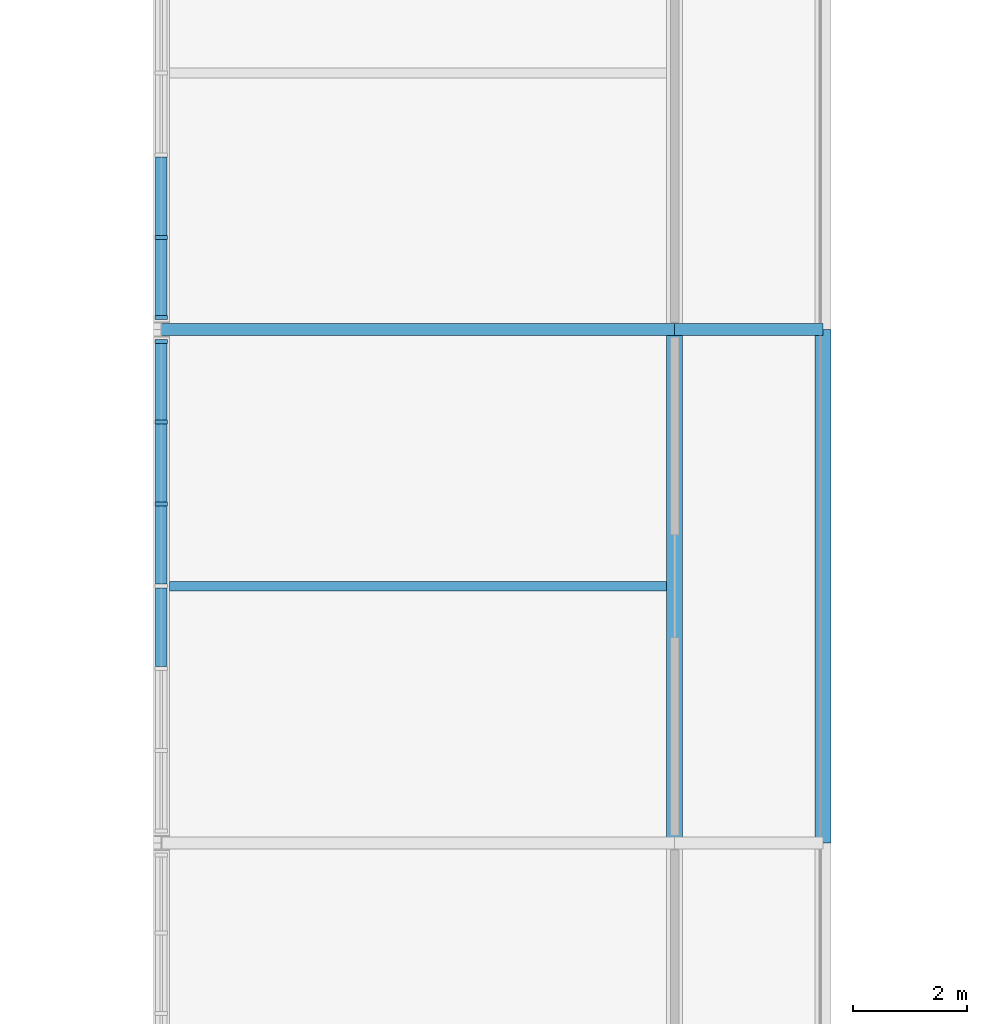
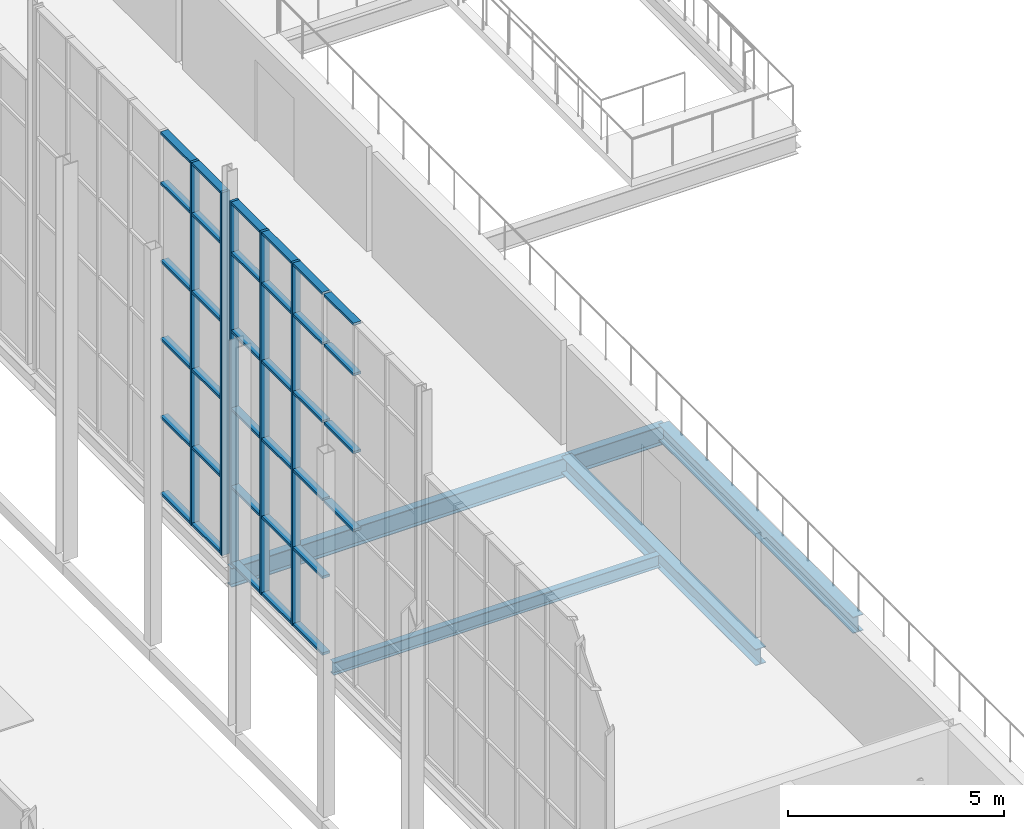
# One storey, part 50 of 134: 39 members, 5 beams, 2 elements without a shape of their own.
"""IFC4 building model written with IfcOpenShell, lengths in metres."""

import ifcopenshell
import ifcopenshell.guid

model = None  # the IFC model being written
_history = None  # IfcOwnerHistory: only IFC2X3 demands one
_inside = {}  # id of a spatial element -> (the spatial element, [elements in it])
_under = {}  # id of a project, library or spatial element -> (it, [spatial elements below it])
_declared = {}  # id of a project -> (the project, [libraries it declares])
_typed = {}  # id of a type object -> (the type object, [elements of that type])
_made_of = {}  # id of a material, layer set ... -> (it, [elements and type objects made of it])


def new_model(schema):
    """Start an empty IFC model of exactly this schema.

    Asked for "IFC4X3", IfcOpenShell would pick the latest addendum, in which some entities
    have other attributes; the version numbers below select the first issue.
    IFC2X3 requires an IfcOwnerHistory on every rooted entity: one is made here for all.
    """
    global model, _history
    if schema == "IFC4X3":
        model = ifcopenshell.file(schema_version=(4, 3, 0, 0))
    else:
        model = ifcopenshell.file(schema=schema)
    _inside.clear()
    _under.clear()
    _declared.clear()
    _typed.clear()
    _made_of.clear()
    _history = None
    if model.schema == "IFC2X3":
        org = make("IfcOrganization", Name="unknown")
        user = make(
            "IfcPersonAndOrganization",
            ThePerson=make("IfcPerson", FamilyName="unknown"),
            TheOrganization=org,
        )
        app = make(
            "IfcApplication",
            ApplicationDeveloper=org,
            Version="unknown",
            ApplicationFullName="unknown",
            ApplicationIdentifier="unknown",
        )
        _history = make(
            "IfcOwnerHistory",
            OwningUser=user,
            OwningApplication=app,
            ChangeAction="ADDED",
            CreationDate=0,
        )
    return model


def make(cls, **values):
    """One entity of the class cls with the attributes given. An attribute that is None is left unset."""
    return model.create_entity(
        cls, **{name: value for name, value in values.items() if value is not None}
    )


def rooted(cls, **values):
    """An entity with a GlobalId (a new one), such as an element, a storey or a relation."""
    return make(cls, GlobalId=ifcopenshell.guid.new(), OwnerHistory=_history, **values)


def si_unit(unit_type, name, prefix=None):
    """IfcSIUnit, for example si_unit("LENGTHUNIT", "METRE", prefix="MILLI")."""
    return make("IfcSIUnit", UnitType=unit_type, Prefix=prefix, Name=name)


def assignment(units):
    """IfcUnitAssignment: the units of a project."""
    return None if units is None else make("IfcUnitAssignment", Units=units)


def point(xyz):
    """IfcCartesianPoint."""
    return None if xyz is None else make("IfcCartesianPoint", Coordinates=xyz)


def direction(xyz):
    """IfcDirection."""
    return None if xyz is None else make("IfcDirection", DirectionRatios=xyz)


def frame(location, z_axis=None, x_axis=None):
    """IfcAxis2Placement3D, a coordinate frame: its origin and axes. An axis left out is left unset."""
    return make(
        "IfcAxis2Placement3D",
        Location=point(location),
        Axis=direction(z_axis),
        RefDirection=direction(x_axis),
    )


def frame_2d(location, x_axis=None):
    """IfcAxis2Placement2D, a coordinate frame in the plane: its origin and x axis."""
    return make(
        "IfcAxis2Placement2D", Location=point(location), RefDirection=direction(x_axis)
    )


def origin():
    """The frame at (0, 0, 0) with its axes left unset."""
    return frame((0.0, 0.0, 0.0))


def origin_2d():
    """The frame at (0, 0) in the plane with its x axis left unset."""
    return frame_2d((0.0, 0.0))


def place(relative_to, where):
    """IfcLocalPlacement: puts the frame where relative to a parent placement (None: the world)."""
    return make(
        "IfcLocalPlacement", PlacementRelTo=relative_to, RelativePlacement=where
    )


def context(
    kind, dimensions, precision=None, world=None, true_north=None, identifier=None
):
    """IfcGeometricRepresentationContext, for example the 3D "Model" context."""
    return make(
        "IfcGeometricRepresentationContext",
        ContextIdentifier=identifier,
        ContextType=kind,
        CoordinateSpaceDimension=dimensions,
        Precision=precision,
        WorldCoordinateSystem=world,
        TrueNorth=true_north,
    )


def subcontext(parent, identifier, kind, view, scale=None):
    """IfcGeometricRepresentationSubContext, for example "Body" below "Model"."""
    return make(
        "IfcGeometricRepresentationSubContext",
        ContextIdentifier=identifier,
        ContextType=kind,
        ParentContext=parent,
        TargetScale=scale,
        TargetView=view,
    )


def project(units=None, contexts=None):
    """IfcProject with its units and contexts."""
    return rooted(
        "IfcProject",
        Name="project",
        RepresentationContexts=contexts,
        UnitsInContext=assignment(units),
    )


def spatial(cls, under=None, at=None, **own):
    """A site, building, storey or space (cls), placed at a placement, below another one or the project."""
    s = rooted(cls, ObjectPlacement=at, **own)
    if under is not None:
        _under.setdefault(under.id(), (under, []))[1].append(s)
    return s


def profile(cls, at=None, kind="AREA", **sizes):
    """A parametric profile (cls). Its sizes go by their IFC names, for example OverallWidth=200.0."""
    return make(cls, ProfileType=kind, Position=at, **sizes)


def rectangle(**sizes):
    """IfcRectangleProfileDef."""
    return profile("IfcRectangleProfileDef", **sizes)


def i_section(**sizes):
    """IfcIShapeProfileDef."""
    return profile("IfcIShapeProfileDef", **sizes)


def extrude(swept, where, along, depth):
    """IfcExtrudedAreaSolid: the profile swept, set in the frame where, extruded along a direction by depth."""
    return make(
        "IfcExtrudedAreaSolid",
        SweptArea=swept,
        Position=where,
        ExtrudedDirection=direction(along),
        Depth=depth,
    )


def shape(context_of_items, identifier, shape_type, items):
    """IfcShapeRepresentation: the items that make up one representation, for example the "Body"."""
    return make(
        "IfcShapeRepresentation",
        ContextOfItems=context_of_items,
        RepresentationIdentifier=identifier,
        RepresentationType=shape_type,
        Items=items,
    )


def material(Name=None, Category=None):
    """IfcMaterial."""
    return make("IfcMaterial", Name=Name, Category=Category)


def layer(
    of_material, thickness, ventilated=None, Name=None, Category=None, Priority=None
):
    """IfcMaterialLayer: one layer of a wall or slab, of a material (None: an air gap)."""
    return make(
        "IfcMaterialLayer",
        Material=of_material,
        LayerThickness=thickness,
        IsVentilated=ventilated,
        Name=Name,
        Category=Category,
        Priority=Priority,
    )


def layer_set(layers, Name=None):
    """IfcMaterialLayerSet."""
    return make("IfcMaterialLayerSet", MaterialLayers=layers, LayerSetName=Name)


def material_profile(
    of_material, cross_section, Name=None, Category=None, Priority=None
):
    """IfcMaterialProfile: a cross section and its material."""
    return make(
        "IfcMaterialProfile",
        Name=Name,
        Material=of_material,
        Profile=cross_section,
        Priority=Priority,
        Category=Category,
    )


def profile_set(profiles, Name=None, composite=None):
    """IfcMaterialProfileSet."""
    return make(
        "IfcMaterialProfileSet",
        Name=Name,
        MaterialProfiles=profiles,
        CompositeProfile=composite,
    )


def made_of(thing, what):
    """Note that an element or type object is made of a material, layer set ...; save() writes the relation."""
    if what is not None:
        _made_of.setdefault(what.id(), (what, []))[1].append(thing)
    return thing


def type_object(cls, material=None, **own):
    """A type object (cls), such as IfcWallType, which elements share."""
    return made_of(rooted(cls, **own), material)


def element(
    cls,
    number,
    at=None,
    inside=None,
    cuts=None,
    type_object=None,
    material=None,
    context=None,
    identifier="Body",
    shape_type=None,
    held_by="IfcProductDefinitionShape",
    body=None,
    shapes=None,
    **own,
):
    """One element of the class cls, such as IfcWall. Its Tag is "e" and its number.

    at: its placement. inside: the storey or other place that contains it. cuts: it is an
    opening in that element (IfcRelVoidsElement). A single representation is given by context,
    identifier, shape_type and body (its items); several are given by shapes. held_by: the class
    of the entity that holds the representations. save() writes the other relations.
    """
    e = rooted(cls, Tag="e%d" % number, ObjectPlacement=at, **own)
    if body is not None:
        shapes = [shape(context, identifier, shape_type, body)]
    if shapes is not None:
        e.Representation = make(held_by, Representations=shapes)
    if inside is not None:
        _inside.setdefault(inside.id(), (inside, []))[1].append(e)
    if cuts is not None:
        rooted(
            "IfcRelVoidsElement", RelatingBuildingElement=cuts, RelatedOpeningElement=e
        )
    if type_object is not None:
        _typed.setdefault(type_object.id(), (type_object, []))[1].append(e)
    return made_of(e, material)


def aggregate(whole, parts):
    """IfcRelAggregates: a whole, such as a stair, and the parts it consists of."""
    return rooted("IfcRelAggregates", RelatingObject=whole, RelatedObjects=parts)


def save(model, path):
    """Write the relations noted so far, then the file.

    IfcRelAggregates (storeys below a building ...), IfcRelContainedInSpatialStructure (elements
    in a storey), IfcRelDefinesByType, IfcRelAssociatesMaterial and IfcRelDeclares: one each for
    every whole, place, type object, material and project.
    """
    for whole, parts in _under.values():
        aggregate(whole, parts)
    for where, things in _inside.values():
        rooted(
            "IfcRelContainedInSpatialStructure",
            RelatedElements=things,
            RelatingStructure=where,
        )
    for kind, things in _typed.values():
        rooted("IfcRelDefinesByType", RelatedObjects=things, RelatingType=kind)
    for what, things in _made_of.values():
        rooted("IfcRelAssociatesMaterial", RelatedObjects=things, RelatingMaterial=what)
    for by, libraries in _declared.values():
        rooted("IfcRelDeclares", RelatingContext=by, RelatedDefinitions=libraries)
    model.write(path)


model = new_model("IFC4")

# Units and contexts
model_context = context("Model", 3, precision=1e-05, world=origin(), true_north=direction((0.0, 1.0)))
body_context = subcontext(model_context, "Body", "Model", "MODEL_VIEW")
ifc_project = project(units=[si_unit("LENGTHUNIT", "METRE"), si_unit("AREAUNIT", "SQUARE_METRE"), si_unit("VOLUMEUNIT", "CUBIC_METRE"), si_unit("PLANEANGLEUNIT", "RADIAN"), si_unit("MASSUNIT", "GRAM", prefix="KILO")], contexts=[model_context])

# Site, building, storey
site_placement = place(None, origin())
site = spatial("IfcSite", under=ifc_project, at=site_placement, CompositionType="ELEMENT")
building_placement = place(site_placement, origin())
building = spatial("IfcBuilding", under=site, at=building_placement, Name="Cazmaro Siding Exhibition Halls", CompositionType="ELEMENT")
storey_placement = place(building_placement, frame((0.0, 0.0, 12.0)))
storey = spatial("IfcBuildingStorey", under=building, at=storey_placement, Name="L02", CompositionType="ELEMENT", Elevation=12.0)

# Beams
ifc_material_1 = material(Name="Steel ASTM A992 Grade 50", Category="steel")
ifc_material_profile_1 = material_profile(ifc_material_1, i_section(OverallWidth=0.2099609375, OverallDepth=0.535888671875, WebThickness=0.010986328125, FlangeThickness=0.01708984375, at=origin_2d()), Name="W21X68")
ifc_profile_set_1 = profile_set([ifc_material_profile_1], Name="Steel ASTM A992 Grade 50")
beam_type_1 = type_object("IfcBeamType", Name="B-02", PredefinedType="BEAM", material=ifc_profile_set_1)
beam_1_placement = place(storey_placement, frame((48.199951171875, 94.0, -0.488037109375), z_axis=(1.0, 0.0, 0.0), x_axis=(0.0, 1.0, 0.0)))
element("IfcBeam", 1, at=beam_1_placement, inside=storey, type_object=beam_type_1, Name="Beam B-02 BM-0487", PredefinedType="BEAM", context=body_context, shape_type="SweptSolid", body=[
    extrude(i_section(OverallWidth=0.2099609375, OverallDepth=0.535888671875, WebThickness=0.010986328125, FlangeThickness=0.01708984375, at=origin_2d()), origin(), (0.0, 0.0, 1.0), 9.0),
])
beam_2_placement = place(storey_placement, frame((57.199951171875, 94.0, -0.488037109375), z_axis=(1.0, 0.0, 0.0), x_axis=(0.0, 1.0, 0.0)))
element("IfcBeam", 2, at=beam_2_placement, inside=storey, type_object=beam_type_1, Name="Beam B-02 BM-0503", PredefinedType="BEAM", context=body_context, shape_type="SweptSolid", body=[
    extrude(i_section(OverallWidth=0.2099609375, OverallDepth=0.535888671875, WebThickness=0.010986328125, FlangeThickness=0.01708984375, at=origin_2d()), origin(), (0.0, 0.0, 1.0), 2.60009765625),
])
ifc_material_2 = material(Name="Steel ASTM A992 Grade 50", Category="steel")
ifc_material_profile_2 = material_profile(ifc_material_2, i_section(OverallWidth=0.279052734375, OverallDepth=0.4619140625, WebThickness=0.010986328125, FlangeThickness=0.01708984375, at=origin_2d()), Name="W18X76")
ifc_profile_set_2 = profile_set([ifc_material_profile_2], Name="Steel ASTM A992 Grade 50")
beam_type_2 = type_object("IfcBeamType", Name="B-03", PredefinedType="BEAM", material=ifc_profile_set_2)
for number, where, z_axis, x_axis, name in (
    (3, (57.199951171875, 85.0, -0.450927734375), (0.0, 1.0, 0.0), (-1.0, 0.0, 0.0), "Beam B-03 BM-0493"),
    (4, (59.800048828125, 85.0, -0.450927734375), (0.0, 1.0, 0.0), (-1.0, 0.0, 0.0), "Beam B-03 BM-0506"),
):
    element("IfcBeam", number, at=place(storey_placement, frame(where, z_axis=z_axis, x_axis=x_axis)), inside=storey, type_object=beam_type_2, Name=name, PredefinedType="BEAM", context=body_context, shape_type="SweptSolid", body=[
        extrude(i_section(OverallWidth=0.279052734375, OverallDepth=0.4619140625, WebThickness=0.010986328125, FlangeThickness=0.01708984375, at=origin_2d()), origin(), (0.0, 0.0, 1.0), 9.0),
    ])

# Curtain wall, members
ifc_material_3 = material(Name="Anodized Bronze Aluminum and Solar-Control Low-E Glazing", Category="aluminium")
ifc_layer = layer(ifc_material_3, 0.219970703125)
ifc_layer_set = layer_set([ifc_layer], Name="Anodized Bronze Aluminum and Solar-Control Low-E Glazing")
curtain_wall_type = type_object("IfcCurtainWallType", Name="CWS-03", PredefinedType="USERDEFINED", material=ifc_layer_set)
curtain_wall_1_placement = place(storey_placement, origin())
curtain_wall_1 = element("IfcCurtainWall", 5, at=curtain_wall_1_placement, inside=storey, type_object=curtain_wall_type, Name="Glazed Curtain Wall CWS-03 CW-055", ObjectType="GLAZED CURTAIN WALL", PredefinedType="USERDEFINED")
ifc_material_4 = material(Name="Anodized Bronze Extruded Aluminum", Category="aluminium")
ifc_material_profile_3 = material_profile(ifc_material_4, rectangle(XDim=0.219970703125, YDim=0.070068359375, at=origin_2d()), Name="CWM-03")
ifc_profile_set_3 = profile_set([ifc_material_profile_3], Name="Anodized Bronze Extruded Aluminum")
member_type_1 = type_object("IfcMemberType", Name="CWM-03", PredefinedType="MULLION", material=ifc_profile_set_3)
member_1_placement = place(storey_placement, frame((48.199951171875, 93.7880859375, 0.0), z_axis=(0.0, 0.0, 1.0), x_axis=(1.0, 0.0, 0.0)))
member_1 = element("IfcMember", 6, at=member_1_placement, type_object=member_type_1, Name="CWS-03 mullion 1", PredefinedType="MULLION", context=body_context, shape_type="SweptSolid", body=[
    extrude(rectangle(XDim=0.219970703125, YDim=0.070068359375, at=origin_2d()), origin(), (0.0, 0.0, 1.0), 10.258056640625),
])
member_2_placement = place(storey_placement, frame((48.199951171875, 92.382080078125, 0.0), z_axis=(0.0, 0.0, 1.0), x_axis=(1.0, 0.0, 0.0)))
member_2 = element("IfcMember", 7, at=member_2_placement, type_object=member_type_1, Name="CWS-03 mullion 2", PredefinedType="MULLION", context=body_context, shape_type="SweptSolid", body=[
    extrude(rectangle(XDim=0.219970703125, YDim=0.070068359375, at=origin_2d()), origin(), (0.0, 0.0, 1.0), 10.258056640625),
])
member_3_placement = place(storey_placement, frame((48.199951171875, 90.94091796875, 0.0), z_axis=(0.0, 0.0, 1.0), x_axis=(1.0, 0.0, 0.0)))
member_3 = element("IfcMember", 8, at=member_3_placement, type_object=member_type_1, Name="CWS-03 mullion 3", PredefinedType="MULLION", context=body_context, shape_type="SweptSolid", body=[
    extrude(rectangle(XDim=0.219970703125, YDim=0.070068359375, at=origin_2d()), origin(), (0.0, 0.0, 1.0), 10.258056640625),
])

curtain_wall_2_placement = place(storey_placement, origin())
curtain_wall_2 = element("IfcCurtainWall", 9, at=curtain_wall_2_placement, inside=storey, type_object=curtain_wall_type, Name="Glazed Curtain Wall CWS-03 CW-058", ObjectType="GLAZED CURTAIN WALL", PredefinedType="USERDEFINED")
member_4_placement = place(storey_placement, frame((48.199951171875, 95.617919921875, 0.0), z_axis=(0.0, 0.0, 1.0), x_axis=(1.0, 0.0, 0.0)))
member_4 = element("IfcMember", 10, at=member_4_placement, type_object=member_type_1, Name="CWS-03 mullion 6", PredefinedType="MULLION", context=body_context, shape_type="SweptSolid", body=[
    extrude(rectangle(XDim=0.219970703125, YDim=0.070068359375, at=origin_2d()), origin(), (0.0, 0.0, 1.0), 10.258056640625),
])
member_5_placement = place(storey_placement, frame((48.199951171875, 94.2119140625, 0.0), z_axis=(0.0, 0.0, 1.0), x_axis=(1.0, 0.0, 0.0)))
member_5 = element("IfcMember", 11, at=member_5_placement, type_object=member_type_1, Name="CWS-03 mullion 7", PredefinedType="MULLION", context=body_context, shape_type="SweptSolid", body=[
    extrude(rectangle(XDim=0.219970703125, YDim=0.070068359375, at=origin_2d()), origin(), (0.0, 0.0, 1.0), 10.258056640625),
])

# Member
ifc_material_5 = material(Name="Anodized Bronze Extruded Aluminum", Category="aluminium")
ifc_material_profile_4 = material_profile(ifc_material_5, rectangle(XDim=0.199951171875, YDim=0.070068359375, at=origin_2d()), Name="CWT-03")
ifc_profile_set_4 = profile_set([ifc_material_profile_4], Name="Anodized Bronze Extruded Aluminum")
member_type_2 = type_object("IfcMemberType", Name="CWT-03", PredefinedType="MULLION", material=ifc_profile_set_4)
member_6_placement = place(storey_placement, frame((48.199951171875, 93.7529296875, 0.034912109375), z_axis=(0.0, -1.0, 0.0), x_axis=(1.0, 0.0, 0.0)))
member_6 = element("IfcMember", 12, at=member_6_placement, type_object=member_type_2, Name="CWS-03 transom 1.1", ObjectType="TRANSOM", PredefinedType="USERDEFINED", context=body_context, shape_type="SweptSolid", body=[
    extrude(rectangle(XDim=0.199951171875, YDim=0.070068359375, at=origin_2d()), origin(), (0.0, 0.0, 1.0), 1.3359375),
])

member_7_placement = place(storey_placement, frame((48.199951171875, 93.7529296875, 2.199951171875), z_axis=(0.0, -1.0, 0.0), x_axis=(1.0, 0.0, 0.0)))
member_7 = element("IfcMember", 13, at=member_7_placement, type_object=member_type_2, Name="CWS-03 transom 1.2", ObjectType="TRANSOM", PredefinedType="USERDEFINED", context=body_context, shape_type="SweptSolid", body=[
    extrude(rectangle(XDim=0.199951171875, YDim=0.070068359375, at=origin_2d()), origin(), (0.0, 0.0, 1.0), 1.3359375),
])

member_8_placement = place(storey_placement, frame((48.199951171875, 93.7529296875, 4.39990234375), z_axis=(0.0, -1.0, 0.0), x_axis=(1.0, 0.0, 0.0)))
member_8 = element("IfcMember", 14, at=member_8_placement, type_object=member_type_2, Name="CWS-03 transom 1.3", ObjectType="TRANSOM", PredefinedType="USERDEFINED", context=body_context, shape_type="SweptSolid", body=[
    extrude(rectangle(XDim=0.199951171875, YDim=0.070068359375, at=origin_2d()), origin(), (0.0, 0.0, 1.0), 1.3359375),
])

member_9_placement = place(storey_placement, frame((48.199951171875, 93.7529296875, 6.60009765625), z_axis=(0.0, -1.0, 0.0), x_axis=(1.0, 0.0, 0.0)))
member_9 = element("IfcMember", 15, at=member_9_placement, type_object=member_type_2, Name="CWS-03 transom 1.4", ObjectType="TRANSOM", PredefinedType="USERDEFINED", context=body_context, shape_type="SweptSolid", body=[
    extrude(rectangle(XDim=0.199951171875, YDim=0.070068359375, at=origin_2d()), origin(), (0.0, 0.0, 1.0), 1.3359375),
])

member_10_placement = place(storey_placement, frame((48.199951171875, 93.7529296875, 8.800048828125), z_axis=(0.0, -1.0, 0.0), x_axis=(1.0, 0.0, 0.0)))
member_10 = element("IfcMember", 16, at=member_10_placement, type_object=member_type_2, Name="CWS-03 transom 1.5", ObjectType="TRANSOM", PredefinedType="USERDEFINED", context=body_context, shape_type="SweptSolid", body=[
    extrude(rectangle(XDim=0.199951171875, YDim=0.070068359375, at=origin_2d()), origin(), (0.0, 0.0, 1.0), 1.3359375),
])

member_11_placement = place(storey_placement, frame((48.199951171875, 93.7529296875, 10.222900390625), z_axis=(0.0, -1.0, 0.0), x_axis=(1.0, 0.0, 0.0)))
member_11 = element("IfcMember", 17, at=member_11_placement, type_object=member_type_2, Name="CWS-03 transom 1.6", ObjectType="TRANSOM", PredefinedType="USERDEFINED", context=body_context, shape_type="SweptSolid", body=[
    extrude(rectangle(XDim=0.199951171875, YDim=0.070068359375, at=origin_2d()), origin(), (0.0, 0.0, 1.0), 1.3359375),
])

member_12_placement = place(storey_placement, frame((48.199951171875, 92.346923828125, 0.034912109375), z_axis=(0.0, -1.0, 0.0), x_axis=(1.0, 0.0, 0.0)))
member_12 = element("IfcMember", 18, at=member_12_placement, type_object=member_type_2, Name="CWS-03 transom 2.1", ObjectType="TRANSOM", PredefinedType="USERDEFINED", context=body_context, shape_type="SweptSolid", body=[
    extrude(rectangle(XDim=0.199951171875, YDim=0.070068359375, at=origin_2d()), origin(), (0.0, 0.0, 1.0), 1.370849609375),
])

member_13_placement = place(storey_placement, frame((48.199951171875, 92.346923828125, 2.199951171875), z_axis=(0.0, -1.0, 0.0), x_axis=(1.0, 0.0, 0.0)))
member_13 = element("IfcMember", 19, at=member_13_placement, type_object=member_type_2, Name="CWS-03 transom 2.2", ObjectType="TRANSOM", PredefinedType="USERDEFINED", context=body_context, shape_type="SweptSolid", body=[
    extrude(rectangle(XDim=0.199951171875, YDim=0.070068359375, at=origin_2d()), origin(), (0.0, 0.0, 1.0), 1.370849609375),
])

member_14_placement = place(storey_placement, frame((48.199951171875, 92.346923828125, 4.39990234375), z_axis=(0.0, -1.0, 0.0), x_axis=(1.0, 0.0, 0.0)))
member_14 = element("IfcMember", 20, at=member_14_placement, type_object=member_type_2, Name="CWS-03 transom 2.3", ObjectType="TRANSOM", PredefinedType="USERDEFINED", context=body_context, shape_type="SweptSolid", body=[
    extrude(rectangle(XDim=0.199951171875, YDim=0.070068359375, at=origin_2d()), origin(), (0.0, 0.0, 1.0), 1.370849609375),
])

member_15_placement = place(storey_placement, frame((48.199951171875, 92.346923828125, 6.60009765625), z_axis=(0.0, -1.0, 0.0), x_axis=(1.0, 0.0, 0.0)))
member_15 = element("IfcMember", 21, at=member_15_placement, type_object=member_type_2, Name="CWS-03 transom 2.4", ObjectType="TRANSOM", PredefinedType="USERDEFINED", context=body_context, shape_type="SweptSolid", body=[
    extrude(rectangle(XDim=0.199951171875, YDim=0.070068359375, at=origin_2d()), origin(), (0.0, 0.0, 1.0), 1.370849609375),
])

member_16_placement = place(storey_placement, frame((48.199951171875, 92.346923828125, 8.800048828125), z_axis=(0.0, -1.0, 0.0), x_axis=(1.0, 0.0, 0.0)))
member_16 = element("IfcMember", 22, at=member_16_placement, type_object=member_type_2, Name="CWS-03 transom 2.5", ObjectType="TRANSOM", PredefinedType="USERDEFINED", context=body_context, shape_type="SweptSolid", body=[
    extrude(rectangle(XDim=0.199951171875, YDim=0.070068359375, at=origin_2d()), origin(), (0.0, 0.0, 1.0), 1.370849609375),
])

member_17_placement = place(storey_placement, frame((48.199951171875, 92.346923828125, 10.222900390625), z_axis=(0.0, -1.0, 0.0), x_axis=(1.0, 0.0, 0.0)))
member_17 = element("IfcMember", 23, at=member_17_placement, type_object=member_type_2, Name="CWS-03 transom 2.6", ObjectType="TRANSOM", PredefinedType="USERDEFINED", context=body_context, shape_type="SweptSolid", body=[
    extrude(rectangle(XDim=0.199951171875, YDim=0.070068359375, at=origin_2d()), origin(), (0.0, 0.0, 1.0), 1.370849609375),
])

member_18_placement = place(storey_placement, frame((48.199951171875, 90.906005859375, 0.034912109375), z_axis=(0.0, -1.0, 0.0), x_axis=(1.0, 0.0, 0.0)))
member_18 = element("IfcMember", 24, at=member_18_placement, type_object=member_type_2, Name="CWS-03 transom 3.1", ObjectType="TRANSOM", PredefinedType="USERDEFINED", context=body_context, shape_type="SweptSolid", body=[
    extrude(rectangle(XDim=0.199951171875, YDim=0.070068359375, at=origin_2d()), origin(), (0.0, 0.0, 1.0), 1.37109375),
])

member_19_placement = place(storey_placement, frame((48.199951171875, 90.906005859375, 2.199951171875), z_axis=(0.0, -1.0, 0.0), x_axis=(1.0, 0.0, 0.0)))
member_19 = element("IfcMember", 25, at=member_19_placement, type_object=member_type_2, Name="CWS-03 transom 3.2", ObjectType="TRANSOM", PredefinedType="USERDEFINED", context=body_context, shape_type="SweptSolid", body=[
    extrude(rectangle(XDim=0.199951171875, YDim=0.070068359375, at=origin_2d()), origin(), (0.0, 0.0, 1.0), 1.37109375),
])

member_20_placement = place(storey_placement, frame((48.199951171875, 90.906005859375, 4.39990234375), z_axis=(0.0, -1.0, 0.0), x_axis=(1.0, 0.0, 0.0)))
member_20 = element("IfcMember", 26, at=member_20_placement, type_object=member_type_2, Name="CWS-03 transom 3.3", ObjectType="TRANSOM", PredefinedType="USERDEFINED", context=body_context, shape_type="SweptSolid", body=[
    extrude(rectangle(XDim=0.199951171875, YDim=0.070068359375, at=origin_2d()), origin(), (0.0, 0.0, 1.0), 1.37109375),
])

member_21_placement = place(storey_placement, frame((48.199951171875, 90.906005859375, 6.60009765625), z_axis=(0.0, -1.0, 0.0), x_axis=(1.0, 0.0, 0.0)))
member_21 = element("IfcMember", 27, at=member_21_placement, type_object=member_type_2, Name="CWS-03 transom 3.4", ObjectType="TRANSOM", PredefinedType="USERDEFINED", context=body_context, shape_type="SweptSolid", body=[
    extrude(rectangle(XDim=0.199951171875, YDim=0.070068359375, at=origin_2d()), origin(), (0.0, 0.0, 1.0), 1.37109375),
])

member_22_placement = place(storey_placement, frame((48.199951171875, 90.906005859375, 8.800048828125), z_axis=(0.0, -1.0, 0.0), x_axis=(1.0, 0.0, 0.0)))
member_22 = element("IfcMember", 28, at=member_22_placement, type_object=member_type_2, Name="CWS-03 transom 3.5", ObjectType="TRANSOM", PredefinedType="USERDEFINED", context=body_context, shape_type="SweptSolid", body=[
    extrude(rectangle(XDim=0.199951171875, YDim=0.070068359375, at=origin_2d()), origin(), (0.0, 0.0, 1.0), 1.37109375),
])

member_23_placement = place(storey_placement, frame((48.199951171875, 90.906005859375, 10.222900390625), z_axis=(0.0, -1.0, 0.0), x_axis=(1.0, 0.0, 0.0)))
member_23 = element("IfcMember", 29, at=member_23_placement, type_object=member_type_2, Name="CWS-03 transom 3.6", ObjectType="TRANSOM", PredefinedType="USERDEFINED", context=body_context, shape_type="SweptSolid", body=[
    extrude(rectangle(XDim=0.199951171875, YDim=0.070068359375, at=origin_2d()), origin(), (0.0, 0.0, 1.0), 1.37109375),
])

member_24_placement = place(storey_placement, frame((48.199951171875, 89.465087890625, 4.39990234375), z_axis=(0.0, -1.0, 0.0), x_axis=(1.0, 0.0, 0.0)))
member_24 = element("IfcMember", 30, at=member_24_placement, type_object=member_type_2, Name="CWS-03 transom 4.3", ObjectType="TRANSOM", PredefinedType="USERDEFINED", context=body_context, shape_type="SweptSolid", body=[
    extrude(rectangle(XDim=0.199951171875, YDim=0.070068359375, at=origin_2d()), origin(), (0.0, 0.0, 1.0), 1.37109375),
])

member_25_placement = place(storey_placement, frame((48.199951171875, 89.465087890625, 6.60009765625), z_axis=(0.0, -1.0, 0.0), x_axis=(1.0, 0.0, 0.0)))
member_25 = element("IfcMember", 31, at=member_25_placement, type_object=member_type_2, Name="CWS-03 transom 4.4", ObjectType="TRANSOM", PredefinedType="USERDEFINED", context=body_context, shape_type="SweptSolid", body=[
    extrude(rectangle(XDim=0.199951171875, YDim=0.070068359375, at=origin_2d()), origin(), (0.0, 0.0, 1.0), 1.37109375),
])

member_26_placement = place(storey_placement, frame((48.199951171875, 89.465087890625, 8.800048828125), z_axis=(0.0, -1.0, 0.0), x_axis=(1.0, 0.0, 0.0)))
member_26 = element("IfcMember", 32, at=member_26_placement, type_object=member_type_2, Name="CWS-03 transom 4.5", ObjectType="TRANSOM", PredefinedType="USERDEFINED", context=body_context, shape_type="SweptSolid", body=[
    extrude(rectangle(XDim=0.199951171875, YDim=0.070068359375, at=origin_2d()), origin(), (0.0, 0.0, 1.0), 1.37109375),
])

member_27_placement = place(storey_placement, frame((48.199951171875, 89.465087890625, 10.222900390625), z_axis=(0.0, -1.0, 0.0), x_axis=(1.0, 0.0, 0.0)))
member_27 = element("IfcMember", 33, at=member_27_placement, type_object=member_type_2, Name="CWS-03 transom 4.6", ObjectType="TRANSOM", PredefinedType="USERDEFINED", context=body_context, shape_type="SweptSolid", body=[
    extrude(rectangle(XDim=0.199951171875, YDim=0.070068359375, at=origin_2d()), origin(), (0.0, 0.0, 1.0), 1.37109375),
])

aggregate(curtain_wall_1, [member_1, member_2, member_3, member_6, member_7, member_8, member_9, member_10, member_11, member_12, member_13, member_14, member_15, member_16, member_17, member_18, member_19, member_20, member_21, member_22, member_23, member_24, member_25, member_26, member_27])

member_28_placement = place(storey_placement, frame((48.199951171875, 97.02392578125, 0.034912109375), z_axis=(0.0, -1.0, 0.0), x_axis=(1.0, 0.0, 0.0)))
member_28 = element("IfcMember", 34, at=member_28_placement, type_object=member_type_2, Name="CWS-03 transom 5.1", ObjectType="TRANSOM", PredefinedType="USERDEFINED", context=body_context, shape_type="SweptSolid", body=[
    extrude(rectangle(XDim=0.199951171875, YDim=0.070068359375, at=origin_2d()), origin(), (0.0, 0.0, 1.0), 1.370849609375),
])

member_29_placement = place(storey_placement, frame((48.199951171875, 97.02392578125, 2.199951171875), z_axis=(0.0, -1.0, 0.0), x_axis=(1.0, 0.0, 0.0)))
member_29 = element("IfcMember", 35, at=member_29_placement, type_object=member_type_2, Name="CWS-03 transom 5.2", ObjectType="TRANSOM", PredefinedType="USERDEFINED", context=body_context, shape_type="SweptSolid", body=[
    extrude(rectangle(XDim=0.199951171875, YDim=0.070068359375, at=origin_2d()), origin(), (0.0, 0.0, 1.0), 1.370849609375),
])

member_30_placement = place(storey_placement, frame((48.199951171875, 97.02392578125, 4.39990234375), z_axis=(0.0, -1.0, 0.0), x_axis=(1.0, 0.0, 0.0)))
member_30 = element("IfcMember", 36, at=member_30_placement, type_object=member_type_2, Name="CWS-03 transom 5.3", ObjectType="TRANSOM", PredefinedType="USERDEFINED", context=body_context, shape_type="SweptSolid", body=[
    extrude(rectangle(XDim=0.199951171875, YDim=0.070068359375, at=origin_2d()), origin(), (0.0, 0.0, 1.0), 1.370849609375),
])

member_31_placement = place(storey_placement, frame((48.199951171875, 97.02392578125, 6.60009765625), z_axis=(0.0, -1.0, 0.0), x_axis=(1.0, 0.0, 0.0)))
member_31 = element("IfcMember", 37, at=member_31_placement, type_object=member_type_2, Name="CWS-03 transom 5.4", ObjectType="TRANSOM", PredefinedType="USERDEFINED", context=body_context, shape_type="SweptSolid", body=[
    extrude(rectangle(XDim=0.199951171875, YDim=0.070068359375, at=origin_2d()), origin(), (0.0, 0.0, 1.0), 1.370849609375),
])

member_32_placement = place(storey_placement, frame((48.199951171875, 97.02392578125, 8.800048828125), z_axis=(0.0, -1.0, 0.0), x_axis=(1.0, 0.0, 0.0)))
member_32 = element("IfcMember", 38, at=member_32_placement, type_object=member_type_2, Name="CWS-03 transom 5.5", ObjectType="TRANSOM", PredefinedType="USERDEFINED", context=body_context, shape_type="SweptSolid", body=[
    extrude(rectangle(XDim=0.199951171875, YDim=0.070068359375, at=origin_2d()), origin(), (0.0, 0.0, 1.0), 1.370849609375),
])

member_33_placement = place(storey_placement, frame((48.199951171875, 97.02392578125, 10.222900390625), z_axis=(0.0, -1.0, 0.0), x_axis=(1.0, 0.0, 0.0)))
member_33 = element("IfcMember", 39, at=member_33_placement, type_object=member_type_2, Name="CWS-03 transom 5.6", ObjectType="TRANSOM", PredefinedType="USERDEFINED", context=body_context, shape_type="SweptSolid", body=[
    extrude(rectangle(XDim=0.199951171875, YDim=0.070068359375, at=origin_2d()), origin(), (0.0, 0.0, 1.0), 1.370849609375),
])

member_34_placement = place(storey_placement, frame((48.199951171875, 95.5830078125, 0.034912109375), z_axis=(0.0, -1.0, 0.0), x_axis=(1.0, 0.0, 0.0)))
member_34 = element("IfcMember", 40, at=member_34_placement, type_object=member_type_2, Name="CWS-03 transom 6.1", ObjectType="TRANSOM", PredefinedType="USERDEFINED", context=body_context, shape_type="SweptSolid", body=[
    extrude(rectangle(XDim=0.199951171875, YDim=0.070068359375, at=origin_2d()), origin(), (0.0, 0.0, 1.0), 1.3359375),
])

member_35_placement = place(storey_placement, frame((48.199951171875, 95.5830078125, 2.199951171875), z_axis=(0.0, -1.0, 0.0), x_axis=(1.0, 0.0, 0.0)))
member_35 = element("IfcMember", 41, at=member_35_placement, type_object=member_type_2, Name="CWS-03 transom 6.2", ObjectType="TRANSOM", PredefinedType="USERDEFINED", context=body_context, shape_type="SweptSolid", body=[
    extrude(rectangle(XDim=0.199951171875, YDim=0.070068359375, at=origin_2d()), origin(), (0.0, 0.0, 1.0), 1.3359375),
])

member_36_placement = place(storey_placement, frame((48.199951171875, 95.5830078125, 4.39990234375), z_axis=(0.0, -1.0, 0.0), x_axis=(1.0, 0.0, 0.0)))
member_36 = element("IfcMember", 42, at=member_36_placement, type_object=member_type_2, Name="CWS-03 transom 6.3", ObjectType="TRANSOM", PredefinedType="USERDEFINED", context=body_context, shape_type="SweptSolid", body=[
    extrude(rectangle(XDim=0.199951171875, YDim=0.070068359375, at=origin_2d()), origin(), (0.0, 0.0, 1.0), 1.3359375),
])

member_37_placement = place(storey_placement, frame((48.199951171875, 95.5830078125, 6.60009765625), z_axis=(0.0, -1.0, 0.0), x_axis=(1.0, 0.0, 0.0)))
member_37 = element("IfcMember", 43, at=member_37_placement, type_object=member_type_2, Name="CWS-03 transom 6.4", ObjectType="TRANSOM", PredefinedType="USERDEFINED", context=body_context, shape_type="SweptSolid", body=[
    extrude(rectangle(XDim=0.199951171875, YDim=0.070068359375, at=origin_2d()), origin(), (0.0, 0.0, 1.0), 1.3359375),
])

member_38_placement = place(storey_placement, frame((48.199951171875, 95.5830078125, 8.800048828125), z_axis=(0.0, -1.0, 0.0), x_axis=(1.0, 0.0, 0.0)))
member_38 = element("IfcMember", 44, at=member_38_placement, type_object=member_type_2, Name="CWS-03 transom 6.5", ObjectType="TRANSOM", PredefinedType="USERDEFINED", context=body_context, shape_type="SweptSolid", body=[
    extrude(rectangle(XDim=0.199951171875, YDim=0.070068359375, at=origin_2d()), origin(), (0.0, 0.0, 1.0), 1.3359375),
])

member_39_placement = place(storey_placement, frame((48.199951171875, 95.5830078125, 10.222900390625), z_axis=(0.0, -1.0, 0.0), x_axis=(1.0, 0.0, 0.0)))
member_39 = element("IfcMember", 45, at=member_39_placement, type_object=member_type_2, Name="CWS-03 transom 6.6", ObjectType="TRANSOM", PredefinedType="USERDEFINED", context=body_context, shape_type="SweptSolid", body=[
    extrude(rectangle(XDim=0.199951171875, YDim=0.070068359375, at=origin_2d()), origin(), (0.0, 0.0, 1.0), 1.3359375),
])

aggregate(curtain_wall_2, [member_4, member_5, member_28, member_29, member_30, member_31, member_32, member_33, member_34, member_35, member_36, member_37, member_38, member_39])

# Beam
ifc_material_6 = material(Name="Steel ASTM A992 Grade 50", Category="steel")
ifc_material_profile_5 = material_profile(ifc_material_6, i_section(OverallWidth=0.1708984375, OverallDepth=0.35595703125, WebThickness=0.007080078125, FlangeThickness=0.011962890625, at=origin_2d()), Name="W14X34")
ifc_profile_set_5 = profile_set([ifc_material_profile_5], Name="Steel ASTM A992 Grade 50")
beam_type_3 = type_object("IfcBeamType", Name="J-04", PredefinedType="JOIST", material=ifc_profile_set_5)
beam_3_placement = place(storey_placement, frame((48.340087890625, 89.5, -0.39794921875), z_axis=(1.0, 0.0, 0.0), x_axis=(0.0, 1.0, 0.0)))
element("IfcBeam", 46, at=beam_3_placement, inside=storey, type_object=beam_type_3, Name="Beam J-04 BM-0494", PredefinedType="JOIST", context=body_context, shape_type="SweptSolid", body=[
    extrude(i_section(OverallWidth=0.1708984375, OverallDepth=0.35595703125, WebThickness=0.007080078125, FlangeThickness=0.011962890625, at=origin_2d()), origin(), (0.0, 0.0, 1.0), 8.719970703125),
])

save(model, "model.ifc")
